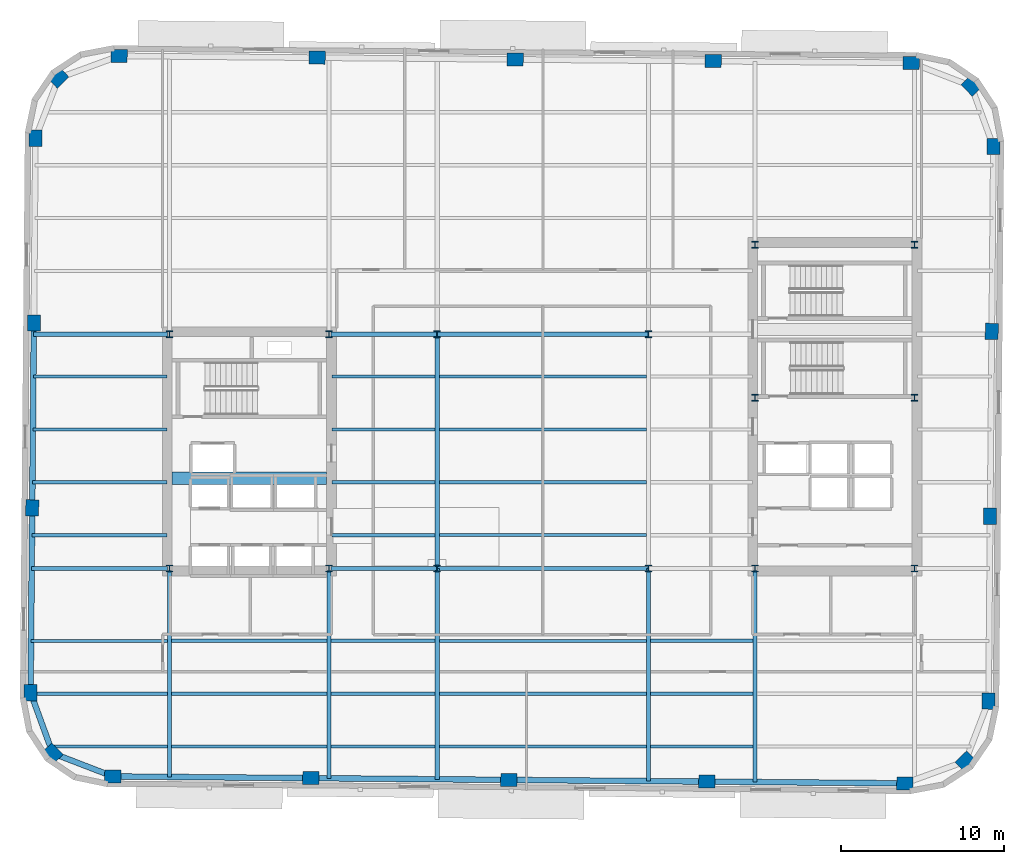
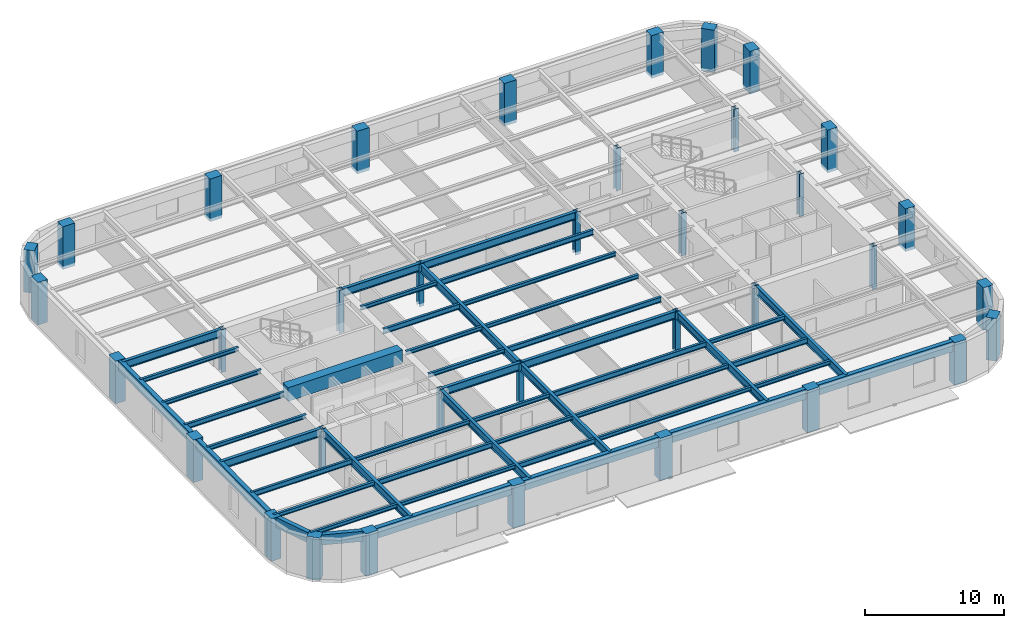
# One storey, part 1 of 10: 48 beams, 36 columns.
"""IFC4 building model written with IfcOpenShell, lengths in metres."""

from ifc_helpers import new_model, si_unit, direction, frame, origin, origin_2d, place, context, subcontext, project, spatial, rectangle, hollow_rectangle, i_section, extrude, material, material_profile, profile_set, type_object, element, save


model = new_model("IFC4")

# Units and contexts
model_context = context("Model", 3, precision=1e-05, world=origin(), true_north=direction((0.0, 1.0)))
body_context = subcontext(model_context, "Body", "Model", "MODEL_VIEW")
ifc_project = project(units=[si_unit("LENGTHUNIT", "METRE"), si_unit("AREAUNIT", "SQUARE_METRE"), si_unit("VOLUMEUNIT", "CUBIC_METRE"), si_unit("PLANEANGLEUNIT", "RADIAN"), si_unit("MASSUNIT", "GRAM", prefix="KILO")], contexts=[model_context])

# Site, building, storey
site_placement = place(None, origin())
site = spatial("IfcSite", under=ifc_project, at=site_placement, CompositionType="ELEMENT")
building_placement = place(site_placement, origin())
building = spatial("IfcBuilding", under=site, at=building_placement, Name="Kolvaren Arena Tower", CompositionType="ELEMENT")
storey_placement = place(building_placement, frame((0.0, 0.0, 192.199951171875)))
storey = spatial("IfcBuildingStorey", under=building, at=storey_placement, Name="L46", CompositionType="ELEMENT", Elevation=192.199951171875)

# Columns
ifc_material_1 = material(Name="Precast concrete C60/75", Category="concrete")
ifc_material_profile_1 = material_profile(ifc_material_1, rectangle(XDim=1.0, YDim=0.800048828125, at=origin_2d()), Name="RC-1000x800")
ifc_profile_set_1 = profile_set([ifc_material_profile_1], Name="Precast concrete C60/75")
column_type_1 = type_object("IfcColumnType", Name="EXCOL-Z3", PredefinedType="COLUMN", material=ifc_profile_set_1)
for number, where, z_axis, x_axis, name in (
    (1, (11.0576171875, 6.663330078125, -0.27001953125), (0.0, 0.0, 1.0), (0.999961923064, -0.008726535498, 0.0), "Exoskeleton Perimeter Column 01 (L46)"),
    (2, (23.232177734375, 6.55712890625, -0.27001953125), (0.0, 0.0, 1.0), (0.999961923064, -0.008726535498, 0.0), "Exoskeleton Perimeter Column 02 (L46)"),
    (3, (35.40673828125, 6.45068359375, -0.27001953125), (0.0, 0.0, 1.0), (0.999961923064, -0.008726535498, 0.0), "Exoskeleton Perimeter Column 03 (L46)"),
    (4, (47.581298828125, 6.344482421875, -0.27001953125), (0.0, 0.0, 1.0), (0.999961923064, -0.008726535498, 0.0), "Exoskeleton Perimeter Column 04 (L46)"),
    (5, (59.755859375, 6.23828125, -0.27001953125), (0.0, 0.0, 1.0), (0.999961923064, -0.008726535498, 0.0), "Exoskeleton Perimeter Column 05 (L46)"),
    (6, (63.4765625, 7.59716796875, -0.27001953125), (0.0, 0.0, 1.0), (0.713250449154, 0.7009092643, 0.0), "Exoskeleton Perimeter Column 06 (L46)"),
    (7, (64.900146484375, 11.293701171875, -0.27001953125), (0.0, 0.0, 1.0), (0.008726535498, 0.999961923064, 0.0), "Exoskeleton Perimeter Column 07 (L46)"),
    (8, (64.999267578125, 22.659912109375, -0.27001953125), (0.0, 0.0, 1.0), (0.008726535498, 0.999961923064, 0.0), "Exoskeleton Perimeter Column 08 (L46)"),
    (9, (65.098388671875, 34.026123046875, -0.27001953125), (0.0, 0.0, 1.0), (0.008726535498, 0.999961923064, 0.0), "Exoskeleton Perimeter Column 09 (L46)"),
    (10, (65.19775390625, 45.392333984375, -0.27001953125), (0.0, 0.0, 1.0), (0.008726535498, 0.999961923064, 0.0), "Exoskeleton Perimeter Column 10 (L46)"),
    (11, (63.8388671875, 49.113037109375, -0.27001953125), (0.0, 0.0, 1.0), (-0.7009092643, 0.713250449154, 0.0), "Exoskeleton Perimeter Column 11 (L46)"),
    (12, (60.142333984375, 50.53662109375, -0.27001953125), (0.0, 0.0, 1.0), (0.999961923064, -0.008726535498, 0.0), "Exoskeleton Perimeter Column 12 (L46)"),
    (13, (47.9677734375, 50.642822265625, -0.27001953125), (0.0, 0.0, 1.0), (0.999961923064, -0.008726535498, 0.0), "Exoskeleton Perimeter Column 13 (L46)"),
    (14, (35.793212890625, 50.749267578125, -0.27001953125), (0.0, 0.0, 1.0), (0.999961923064, -0.008726535498, 0.0), "Exoskeleton Perimeter Column 14 (L46)"),
    (15, (23.618896484375, 50.85546875, -0.27001953125), (0.0, 0.0, 1.0), (0.999961923064, -0.008726535498, 0.0), "Exoskeleton Perimeter Column 15 (L46)"),
    (16, (11.444091796875, 50.961669921875, -0.27001953125), (0.0, 0.0, 1.0), (0.999961923064, -0.008726535498, 0.0), "Exoskeleton Perimeter Column 16 (L46)"),
    (17, (7.723388671875, 49.602783203125, -0.27001953125), (0.0, 0.0, 1.0), (0.713250449154, 0.7009092643, 0.0), "Exoskeleton Perimeter Column 17 (L46)"),
    (18, (6.2998046875, 45.90625, -0.27001953125), (0.0, 0.0, 1.0), (0.008726535498, 0.999961923064, 0.0), "Exoskeleton Perimeter Column 18 (L46)"),
    (19, (6.20068359375, 34.5400390625, -0.27001953125), (0.0, 0.0, 1.0), (0.008726535498, 0.999961923064, 0.0), "Exoskeleton Perimeter Column 19 (L46)"),
    (20, (6.1015625, 23.173828125, -0.27001953125), (0.0, 0.0, 1.0), (0.008726535498, 0.999961923064, 0.0), "Exoskeleton Perimeter Column 20 (L46)"),
    (21, (6.002197265625, 11.8076171875, -0.27001953125), (0.0, 0.0, 1.0), (0.008726535498, 0.999961923064, 0.0), "Exoskeleton Perimeter Column 21 (L46)"),
    (22, (7.361083984375, 8.0869140625, -0.27001953125), (0.0, 0.0, 1.0), (-0.7009092643, 0.713250449154, 0.0), "Exoskeleton Perimeter Column 22 (L46)"),
):
    element("IfcColumn", number, at=place(storey_placement, frame(where, z_axis=z_axis, x_axis=x_axis)), inside=storey, type_object=column_type_1, Name=name, PredefinedType="COLUMN", context=body_context, shape_type="SweptSolid", body=[
        extrude(rectangle(XDim=1.0, YDim=0.800048828125, at=origin_2d()), origin(), (0.0, 0.0, 1.0), 3.75),
    ])
ifc_material_2 = material(Name="Steel ASTM A913 Grade 65", Category="steel")
ifc_material_profile_2 = material_profile(ifc_material_2, i_section(OverallWidth=0.406005859375, OverallDepth=0.416015625, WebThickness=0.02978515625, FlangeThickness=0.048095703125, FilletRadius=0.02001953125, at=origin_2d()), Name="W360x382")
ifc_profile_set_2 = profile_set([ifc_material_profile_2], Name="Steel ASTM A913 Grade 65")
column_type_2 = type_object("IfcColumnType", Name="SCOL-Z3", PredefinedType="COLUMN", material=ifc_profile_set_2)
for number, where, z_axis, x_axis, name in (
    (23, (14.550048828125, 19.449951171875, -0.27001953125), (0.0, 0.0, 1.0), (1.0, 0.0, 0.0), "Core Boundary Column WC-SW (L46)"),
    (24, (24.35009765625, 19.449951171875, -0.27001953125), (0.0, 0.0, 1.0), (1.0, 0.0, 0.0), "Core Boundary Column WC-SE (L46)"),
    (25, (14.550048828125, 33.85009765625, -0.27001953125), (0.0, 0.0, 1.0), (1.0, 0.0, 0.0), "Core Boundary Column WC-NW (L46)"),
    (26, (24.35009765625, 33.85009765625, -0.27001953125), (0.0, 0.0, 1.0), (1.0, 0.0, 0.0), "Core Boundary Column WC-NE (L46)"),
    (27, (50.550048828125, 19.449951171875, -0.27001953125), (0.0, 0.0, 1.0), (1.0, 0.0, 0.0), "Core Boundary Column EC-SW (L46)"),
    (28, (60.35009765625, 19.449951171875, -0.27001953125), (0.0, 0.0, 1.0), (1.0, 0.0, 0.0), "Core Boundary Column EC-SE (L46)"),
    (29, (50.550048828125, 29.949951171875, -0.27001953125), (0.0, 0.0, 1.0), (1.0, 0.0, 0.0), "Core Boundary Column EC-MW (L46)"),
    (30, (60.35009765625, 29.949951171875, -0.27001953125), (0.0, 0.0, 1.0), (1.0, 0.0, 0.0), "Core Boundary Column EC-ME (L46)"),
    (31, (50.550048828125, 39.35009765625, -0.27001953125), (0.0, 0.0, 1.0), (1.0, 0.0, 0.0), "Core Boundary Column EC-NW (L46)"),
    (32, (60.35009765625, 39.35009765625, -0.27001953125), (0.0, 0.0, 1.0), (1.0, 0.0, 0.0), "Core Boundary Column EC-NE (L46)"),
    (33, (31.0, 19.449951171875, -0.27001953125), (0.0, 0.0, 1.0), (1.0, 0.0, 0.0), "Interior Gravity Column TC-SW (L46)"),
    (34, (44.0, 19.449951171875, -0.27001953125), (0.0, 0.0, 1.0), (1.0, 0.0, 0.0), "Interior Gravity Column TC-SE (L46)"),
    (35, (31.0, 33.85009765625, -0.27001953125), (0.0, 0.0, 1.0), (1.0, 0.0, 0.0), "Interior Gravity Column TC-NW (L46)"),
    (36, (44.0, 33.85009765625, -0.27001953125), (0.0, 0.0, 1.0), (1.0, 0.0, 0.0), "Interior Gravity Column TC-NE (L46)"),
):
    element("IfcColumn", number, at=place(storey_placement, frame(where, z_axis=z_axis, x_axis=x_axis)), inside=storey, type_object=column_type_2, Name=name, PredefinedType="COLUMN", context=body_context, shape_type="SweptSolid", body=[
        extrude(i_section(OverallWidth=0.406005859375, OverallDepth=0.416015625, WebThickness=0.02978515625, FlangeThickness=0.048095703125, FilletRadius=0.02001953125, at=origin_2d()), origin(), (0.0, 0.0, 1.0), 3.75),
    ])

# Beams
ifc_material_3 = material(Name="Steel CSA G40.21 350W", Category="steel")
ifc_material_profile_3 = material_profile(ifc_material_3, i_section(OverallWidth=0.193115234375, OverallDepth=0.462890625, WebThickness=0.0107421875, FlangeThickness=0.0205078125, FilletRadius=0.012939453125, at=origin_2d()), Name="W460x113")
ifc_profile_set_3 = profile_set([ifc_material_profile_3], Name="Steel CSA G40.21 350W")
beam_type_1 = type_object("IfcBeamType", Name="BEAM-F2", PredefinedType="BEAM", material=ifc_profile_set_3)
beam_1_placement = place(storey_placement, frame((24.4775390625, 8.5, 3.24853515625), z_axis=(1.0, 0.0, 0.0), x_axis=(0.0, 1.0, 0.0)))
element("IfcBeam", 37, at=beam_1_placement, inside=storey, type_object=beam_type_1, Name="Composite Floor Beam (L46)", PredefinedType="BEAM", context=body_context, shape_type="SweptSolid", body=[
    extrude(i_section(OverallWidth=0.193115234375, OverallDepth=0.462890625, WebThickness=0.0107421875, FlangeThickness=0.0205078125, FilletRadius=0.012939453125, at=origin_2d()), origin(), (0.0, 0.0, 1.0), 6.39501953125),
])
beam_2_placement = place(storey_placement, frame((14.677490234375, 11.75, 3.24853515625), z_axis=(1.0, 0.0, 0.0), x_axis=(0.0, 1.0, 0.0)))
element("IfcBeam", 38, at=beam_2_placement, inside=storey, type_object=beam_type_1, Name="Composite Floor Beam (L46)", PredefinedType="BEAM", context=body_context, shape_type="SweptSolid", body=[
    extrude(i_section(OverallWidth=0.193115234375, OverallDepth=0.462890625, WebThickness=0.0107421875, FlangeThickness=0.0205078125, FilletRadius=0.012939453125, at=origin_2d()), origin(), (0.0, 0.0, 1.0), 9.544921875),
])
beam_3_placement = place(storey_placement, frame((44.12744140625, 11.75, 3.24853515625), z_axis=(1.0, 0.0, 0.0), x_axis=(0.0, 1.0, 0.0)))
element("IfcBeam", 39, at=beam_3_placement, inside=storey, type_object=beam_type_1, Name="Composite Floor Beam (L46)", PredefinedType="BEAM", context=body_context, shape_type="SweptSolid", body=[
    extrude(i_section(OverallWidth=0.193115234375, OverallDepth=0.462890625, WebThickness=0.0107421875, FlangeThickness=0.0205078125, FilletRadius=0.012939453125, at=origin_2d()), origin(), (0.0, 0.0, 1.0), 6.295166015625),
])
beam_4_placement = place(storey_placement, frame((6.0302734375, 15.0, 3.24853515625), z_axis=(1.0, 0.0, 0.0), x_axis=(0.0, 1.0, 0.0)))
element("IfcBeam", 40, at=beam_4_placement, inside=storey, type_object=beam_type_1, Name="Composite Floor Beam (L46)", PredefinedType="BEAM", context=body_context, shape_type="SweptSolid", body=[
    extrude(i_section(OverallWidth=0.193115234375, OverallDepth=0.462890625, WebThickness=0.0107421875, FlangeThickness=0.0205078125, FilletRadius=0.012939453125, at=origin_2d()), origin(), (0.0, 0.0, 1.0), 8.392333984375),
])
for number, where, z_axis, x_axis, name in (
    (41, (31.12744140625, 15.0, 3.24853515625), (1.0, 0.0, 0.0), (0.0, 1.0, 0.0), "Composite Floor Beam (L46)"),
    (42, (31.12744140625, 21.5, 3.24853515625), (1.0, 0.0, 0.0), (0.0, 1.0, 0.0), "Composite Floor Beam (L46)"),
):
    element("IfcBeam", number, at=place(storey_placement, frame(where, z_axis=z_axis, x_axis=x_axis)), inside=storey, type_object=beam_type_1, Name=name, PredefinedType="BEAM", context=body_context, shape_type="SweptSolid", body=[
        extrude(i_section(OverallWidth=0.193115234375, OverallDepth=0.462890625, WebThickness=0.0107421875, FlangeThickness=0.0205078125, FilletRadius=0.012939453125, at=origin_2d()), origin(), (0.0, 0.0, 1.0), 12.7451171875),
    ])
beam_5_placement = place(storey_placement, frame((6.115234375, 24.75, 3.24853515625), z_axis=(1.0, 0.0, 0.0), x_axis=(0.0, 1.0, 0.0)))
element("IfcBeam", 43, at=beam_5_placement, inside=storey, type_object=beam_type_1, Name="Composite Floor Beam (L46)", PredefinedType="BEAM", context=body_context, shape_type="SweptSolid", body=[
    extrude(i_section(OverallWidth=0.193115234375, OverallDepth=0.462890625, WebThickness=0.0107421875, FlangeThickness=0.0205078125, FilletRadius=0.012939453125, at=origin_2d()), origin(), (0.0, 0.0, 1.0), 8.2646484375),
])
beam_6_placement = place(storey_placement, frame((24.52001953125, 28.0, 3.24853515625), z_axis=(1.0, 0.0, 0.0), x_axis=(0.0, 1.0, 0.0)))
element("IfcBeam", 44, at=beam_6_placement, inside=storey, type_object=beam_type_1, Name="Composite Floor Beam (L46)", PredefinedType="BEAM", context=body_context, shape_type="SweptSolid", body=[
    extrude(i_section(OverallWidth=0.193115234375, OverallDepth=0.462890625, WebThickness=0.0107421875, FlangeThickness=0.0205078125, FilletRadius=0.012939453125, at=origin_2d()), origin(), (0.0, 0.0, 1.0), 6.3525390625),
])
beam_7_placement = place(storey_placement, frame((31.12744140625, 31.25, 3.24853515625), z_axis=(1.0, 0.0, 0.0), x_axis=(0.0, 1.0, 0.0)))
element("IfcBeam", 45, at=beam_7_placement, inside=storey, type_object=beam_type_1, Name="Composite Floor Beam (L46)", PredefinedType="BEAM", context=body_context, shape_type="SweptSolid", body=[
    extrude(i_section(OverallWidth=0.193115234375, OverallDepth=0.462890625, WebThickness=0.0107421875, FlangeThickness=0.0205078125, FilletRadius=0.012939453125, at=origin_2d()), origin(), (0.0, 0.0, 1.0), 12.7451171875),
])
ifc_material_4 = material(Name="Concrete 60 MPa", Category="concrete")
ifc_material_profile_4 = material_profile(ifc_material_4, rectangle(XDim=0.75, YDim=1.199951171875, at=origin_2d()), Name="RC-750x1200")
ifc_profile_set_4 = profile_set([ifc_material_profile_4], Name="Concrete 60 MPa")
beam_type_2 = type_object("IfcBeamType", Name="CB-CORE-2", PredefinedType="BEAM", material=ifc_profile_set_4)
beam_8_placement = place(storey_placement, frame((14.699951171875, 25.0, 3.150146484375), z_axis=(1.0, 0.0, 0.0), x_axis=(0.0, 1.0, 0.0)))
element("IfcBeam", 46, at=beam_8_placement, inside=storey, type_object=beam_type_2, Name="West Core Coupling Beam (L46)", PredefinedType="BEAM", context=body_context, shape_type="SweptSolid", body=[
    extrude(rectangle(XDim=0.75, YDim=1.199951171875, at=origin_2d()), origin(), (0.0, 0.0, 1.0), 9.5),
])
ifc_material_profile_5 = material_profile(ifc_material_3, i_section(OverallWidth=0.2548828125, OverallDepth=0.695068359375, WebThickness=0.01708984375, FlangeThickness=0.02978515625, FilletRadius=0.01611328125, at=origin_2d()), Name="W690x217")
ifc_profile_set_5 = profile_set([ifc_material_profile_5], Name="Steel CSA G40.21 350W")
beam_type_3 = type_object("IfcBeamType", Name="GIRD-T2", PredefinedType="BEAM", material=ifc_profile_set_5)
beam_9_placement = place(storey_placement, frame((6.069091796875, 19.449951171875, 3.132568359375), z_axis=(1.0, 0.0, 0.0), x_axis=(0.0, 1.0, 0.0)))
element("IfcBeam", 47, at=beam_9_placement, inside=storey, type_object=beam_type_3, Name="Primary Floor Girder (L46)", PredefinedType="BEAM", context=body_context, shape_type="SweptSolid", body=[
    extrude(i_section(OverallWidth=0.2548828125, OverallDepth=0.695068359375, WebThickness=0.01708984375, FlangeThickness=0.02978515625, FilletRadius=0.01611328125, at=origin_2d()), origin(), (0.0, 0.0, 1.0), 8.350830078125),
])
beam_10_placement = place(storey_placement, frame((24.47998046875, 19.449951171875, 3.132568359375), z_axis=(1.0, 0.0, 0.0), x_axis=(0.0, 1.0, 0.0)))
element("IfcBeam", 48, at=beam_10_placement, inside=storey, type_object=beam_type_3, Name="Primary Floor Girder (L46)", PredefinedType="BEAM", context=body_context, shape_type="SweptSolid", body=[
    extrude(i_section(OverallWidth=0.2548828125, OverallDepth=0.695068359375, WebThickness=0.01708984375, FlangeThickness=0.02978515625, FilletRadius=0.01611328125, at=origin_2d()), origin(), (0.0, 0.0, 1.0), 6.52001953125),
])
beam_11_placement = place(storey_placement, frame((31.0, 19.449951171875, 3.132568359375), z_axis=(1.0, 0.0, 0.0), x_axis=(0.0, 1.0, 0.0)))
element("IfcBeam", 49, at=beam_11_placement, inside=storey, type_object=beam_type_3, Name="Primary Floor Girder (L46)", PredefinedType="BEAM", context=body_context, shape_type="SweptSolid", body=[
    extrude(i_section(OverallWidth=0.2548828125, OverallDepth=0.695068359375, WebThickness=0.01708984375, FlangeThickness=0.02978515625, FilletRadius=0.01611328125, at=origin_2d()), origin(), (0.0, 0.0, 1.0), 13.0),
])
beam_12_placement = place(storey_placement, frame((6.194580078125, 33.85009765625, 3.132568359375), z_axis=(1.0, 0.0, 0.0), x_axis=(0.0, 1.0, 0.0)))
element("IfcBeam", 50, at=beam_12_placement, inside=storey, type_object=beam_type_3, Name="Primary Floor Girder (L46)", PredefinedType="BEAM", context=body_context, shape_type="SweptSolid", body=[
    extrude(i_section(OverallWidth=0.2548828125, OverallDepth=0.695068359375, WebThickness=0.01708984375, FlangeThickness=0.02978515625, FilletRadius=0.01611328125, at=origin_2d()), origin(), (0.0, 0.0, 1.0), 8.225341796875),
])
beam_13_placement = place(storey_placement, frame((24.47998046875, 33.85009765625, 3.132568359375), z_axis=(1.0, 0.0, 0.0), x_axis=(0.0, 1.0, 0.0)))
element("IfcBeam", 51, at=beam_13_placement, inside=storey, type_object=beam_type_3, Name="Primary Floor Girder (L46)", PredefinedType="BEAM", context=body_context, shape_type="SweptSolid", body=[
    extrude(i_section(OverallWidth=0.2548828125, OverallDepth=0.695068359375, WebThickness=0.01708984375, FlangeThickness=0.02978515625, FilletRadius=0.01611328125, at=origin_2d()), origin(), (0.0, 0.0, 1.0), 6.52001953125),
])
beam_14_placement = place(storey_placement, frame((31.0, 33.85009765625, 3.132568359375), z_axis=(1.0, 0.0, 0.0), x_axis=(0.0, 1.0, 0.0)))
element("IfcBeam", 52, at=beam_14_placement, inside=storey, type_object=beam_type_3, Name="Primary Floor Girder (L46)", PredefinedType="BEAM", context=body_context, shape_type="SweptSolid", body=[
    extrude(i_section(OverallWidth=0.2548828125, OverallDepth=0.695068359375, WebThickness=0.01708984375, FlangeThickness=0.02978515625, FilletRadius=0.01611328125, at=origin_2d()), origin(), (0.0, 0.0, 1.0), 13.0),
])
beam_15_placement = place(storey_placement, frame((14.550048828125, 6.6328125, 3.132568359375), z_axis=(0.0, 1.0, 0.0), x_axis=(-1.0, 0.0, 0.0)))
element("IfcBeam", 53, at=beam_15_placement, inside=storey, type_object=beam_type_3, Name="Primary Floor Girder (L46)", PredefinedType="BEAM", context=body_context, shape_type="SweptSolid", body=[
    extrude(i_section(OverallWidth=0.2548828125, OverallDepth=0.695068359375, WebThickness=0.01708984375, FlangeThickness=0.02978515625, FilletRadius=0.01611328125, at=origin_2d()), origin(), (0.0, 0.0, 1.0), 12.687255859375),
])
beam_16_placement = place(storey_placement, frame((24.35009765625, 6.54736328125, 3.132568359375), z_axis=(0.0, 1.0, 0.0), x_axis=(-1.0, 0.0, 0.0)))
element("IfcBeam", 54, at=beam_16_placement, inside=storey, type_object=beam_type_3, Name="Primary Floor Girder (L46)", PredefinedType="BEAM", context=body_context, shape_type="SweptSolid", body=[
    extrude(i_section(OverallWidth=0.2548828125, OverallDepth=0.695068359375, WebThickness=0.01708984375, FlangeThickness=0.02978515625, FilletRadius=0.01611328125, at=origin_2d()), origin(), (0.0, 0.0, 1.0), 12.772705078125),
])
beam_17_placement = place(storey_placement, frame((31.0, 6.4892578125, 3.132568359375), z_axis=(0.0, 1.0, 0.0), x_axis=(-1.0, 0.0, 0.0)))
element("IfcBeam", 55, at=beam_17_placement, inside=storey, type_object=beam_type_3, Name="Primary Floor Girder (L46)", PredefinedType="BEAM", context=body_context, shape_type="SweptSolid", body=[
    extrude(i_section(OverallWidth=0.2548828125, OverallDepth=0.695068359375, WebThickness=0.01708984375, FlangeThickness=0.02978515625, FilletRadius=0.01611328125, at=origin_2d()), origin(), (0.0, 0.0, 1.0), 12.960693359375),
])
beam_18_placement = place(storey_placement, frame((31.0, 19.449951171875, 3.132568359375), z_axis=(0.0, 1.0, 0.0), x_axis=(-1.0, 0.0, 0.0)))
element("IfcBeam", 56, at=beam_18_placement, inside=storey, type_object=beam_type_3, Name="Primary Floor Girder (L46)", PredefinedType="BEAM", context=body_context, shape_type="SweptSolid", body=[
    extrude(i_section(OverallWidth=0.2548828125, OverallDepth=0.695068359375, WebThickness=0.01708984375, FlangeThickness=0.02978515625, FilletRadius=0.01611328125, at=origin_2d()), origin(), (0.0, 0.0, 1.0), 14.400146484375),
])
beam_19_placement = place(storey_placement, frame((44.0, 6.375732421875, 3.132568359375), z_axis=(0.0, 1.0, 0.0), x_axis=(-1.0, 0.0, 0.0)))
element("IfcBeam", 57, at=beam_19_placement, inside=storey, type_object=beam_type_3, Name="Primary Floor Girder (L46)", PredefinedType="BEAM", context=body_context, shape_type="SweptSolid", body=[
    extrude(i_section(OverallWidth=0.2548828125, OverallDepth=0.695068359375, WebThickness=0.01708984375, FlangeThickness=0.02978515625, FilletRadius=0.01611328125, at=origin_2d()), origin(), (0.0, 0.0, 1.0), 13.07421875),
])
beam_20_placement = place(storey_placement, frame((50.550048828125, 6.318603515625, 3.132568359375), z_axis=(0.0, 1.0, 0.0), x_axis=(-1.0, 0.0, 0.0)))
element("IfcBeam", 58, at=beam_20_placement, inside=storey, type_object=beam_type_3, Name="Primary Floor Girder (L46)", PredefinedType="BEAM", context=body_context, shape_type="SweptSolid", body=[
    extrude(i_section(OverallWidth=0.2548828125, OverallDepth=0.695068359375, WebThickness=0.01708984375, FlangeThickness=0.02978515625, FilletRadius=0.01611328125, at=origin_2d()), origin(), (0.0, 0.0, 1.0), 13.00146484375),
])
ifc_material_profile_6 = material_profile(ifc_material_3, i_section(OverallWidth=0.202880859375, OverallDepth=0.346923828125, WebThickness=0.0078125, FlangeThickness=0.013427734375, FilletRadius=0.010986328125, at=origin_2d()), Name="W360x64")
ifc_profile_set_6 = profile_set([ifc_material_profile_6], Name="Steel CSA G40.21 350W")
beam_type_4 = type_object("IfcBeamType", Name="JOIST-01", PredefinedType="JOIST", material=ifc_profile_set_6)
beam_21_placement = place(storey_placement, frame((7.210205078125, 8.5, 3.306640625), z_axis=(1.0, 0.0, 0.0), x_axis=(0.0, 1.0, 0.0)))
element("IfcBeam", 59, at=beam_21_placement, inside=storey, type_object=beam_type_4, Name="Composite Floor Joist (L46)", PredefinedType="JOIST", context=body_context, shape_type="SweptSolid", body=[
    extrude(i_section(OverallWidth=0.202880859375, OverallDepth=0.346923828125, WebThickness=0.0078125, FlangeThickness=0.013427734375, FilletRadius=0.010986328125, at=origin_2d()), origin(), (0.0, 0.0, 1.0), 7.21240234375),
])
beam_22_placement = place(storey_placement, frame((14.677490234375, 8.5, 3.306640625), z_axis=(1.0, 0.0, 0.0), x_axis=(0.0, 1.0, 0.0)))
element("IfcBeam", 60, at=beam_22_placement, inside=storey, type_object=beam_type_4, Name="Composite Floor Joist (L46)", PredefinedType="JOIST", context=body_context, shape_type="SweptSolid", body=[
    extrude(i_section(OverallWidth=0.202880859375, OverallDepth=0.346923828125, WebThickness=0.0078125, FlangeThickness=0.013427734375, FilletRadius=0.010986328125, at=origin_2d()), origin(), (0.0, 0.0, 1.0), 9.544921875),
])
beam_23_placement = place(storey_placement, frame((31.12744140625, 8.5, 3.306640625), z_axis=(1.0, 0.0, 0.0), x_axis=(0.0, 1.0, 0.0)))
element("IfcBeam", 61, at=beam_23_placement, inside=storey, type_object=beam_type_4, Name="Composite Floor Joist (L46)", PredefinedType="JOIST", context=body_context, shape_type="SweptSolid", body=[
    extrude(i_section(OverallWidth=0.202880859375, OverallDepth=0.346923828125, WebThickness=0.0078125, FlangeThickness=0.013427734375, FilletRadius=0.010986328125, at=origin_2d()), origin(), (0.0, 0.0, 1.0), 12.7451171875),
])
beam_24_placement = place(storey_placement, frame((44.12744140625, 8.5, 3.306640625), z_axis=(1.0, 0.0, 0.0), x_axis=(0.0, 1.0, 0.0)))
element("IfcBeam", 62, at=beam_24_placement, inside=storey, type_object=beam_type_4, Name="Composite Floor Joist (L46)", PredefinedType="JOIST", context=body_context, shape_type="SweptSolid", body=[
    extrude(i_section(OverallWidth=0.202880859375, OverallDepth=0.346923828125, WebThickness=0.0078125, FlangeThickness=0.013427734375, FilletRadius=0.010986328125, at=origin_2d()), origin(), (0.0, 0.0, 1.0), 6.295166015625),
])
beam_25_placement = place(storey_placement, frame((6.023193359375, 11.75, 3.306640625), z_axis=(1.0, 0.0, 0.0), x_axis=(0.0, 1.0, 0.0)))
element("IfcBeam", 63, at=beam_25_placement, inside=storey, type_object=beam_type_4, Name="Composite Floor Joist (L46)", PredefinedType="JOIST", context=body_context, shape_type="SweptSolid", body=[
    extrude(i_section(OverallWidth=0.202880859375, OverallDepth=0.346923828125, WebThickness=0.0078125, FlangeThickness=0.013427734375, FilletRadius=0.010986328125, at=origin_2d()), origin(), (0.0, 0.0, 1.0), 8.3994140625),
])
beam_26_placement = place(storey_placement, frame((24.4775390625, 11.75, 3.306640625), z_axis=(1.0, 0.0, 0.0), x_axis=(0.0, 1.0, 0.0)))
element("IfcBeam", 64, at=beam_26_placement, inside=storey, type_object=beam_type_4, Name="Composite Floor Joist (L46)", PredefinedType="JOIST", context=body_context, shape_type="SweptSolid", body=[
    extrude(i_section(OverallWidth=0.202880859375, OverallDepth=0.346923828125, WebThickness=0.0078125, FlangeThickness=0.013427734375, FilletRadius=0.010986328125, at=origin_2d()), origin(), (0.0, 0.0, 1.0), 6.39501953125),
])
beam_27_placement = place(storey_placement, frame((31.12744140625, 11.75, 3.306640625), z_axis=(1.0, 0.0, 0.0), x_axis=(0.0, 1.0, 0.0)))
element("IfcBeam", 65, at=beam_27_placement, inside=storey, type_object=beam_type_4, Name="Composite Floor Joist (L46)", PredefinedType="JOIST", context=body_context, shape_type="SweptSolid", body=[
    extrude(i_section(OverallWidth=0.202880859375, OverallDepth=0.346923828125, WebThickness=0.0078125, FlangeThickness=0.013427734375, FilletRadius=0.010986328125, at=origin_2d()), origin(), (0.0, 0.0, 1.0), 12.7451171875),
])
beam_28_placement = place(storey_placement, frame((14.677490234375, 15.0, 3.306640625), z_axis=(1.0, 0.0, 0.0), x_axis=(0.0, 1.0, 0.0)))
element("IfcBeam", 66, at=beam_28_placement, inside=storey, type_object=beam_type_4, Name="Composite Floor Joist (L46)", PredefinedType="JOIST", context=body_context, shape_type="SweptSolid", body=[
    extrude(i_section(OverallWidth=0.202880859375, OverallDepth=0.346923828125, WebThickness=0.0078125, FlangeThickness=0.013427734375, FilletRadius=0.010986328125, at=origin_2d()), origin(), (0.0, 0.0, 1.0), 9.544921875),
])
beam_29_placement = place(storey_placement, frame((24.4775390625, 15.0, 3.306640625), z_axis=(1.0, 0.0, 0.0), x_axis=(0.0, 1.0, 0.0)))
element("IfcBeam", 67, at=beam_29_placement, inside=storey, type_object=beam_type_4, Name="Composite Floor Joist (L46)", PredefinedType="JOIST", context=body_context, shape_type="SweptSolid", body=[
    extrude(i_section(OverallWidth=0.202880859375, OverallDepth=0.346923828125, WebThickness=0.0078125, FlangeThickness=0.013427734375, FilletRadius=0.010986328125, at=origin_2d()), origin(), (0.0, 0.0, 1.0), 6.39501953125),
])
beam_30_placement = place(storey_placement, frame((44.12744140625, 15.0, 3.306640625), z_axis=(1.0, 0.0, 0.0), x_axis=(0.0, 1.0, 0.0)))
element("IfcBeam", 68, at=beam_30_placement, inside=storey, type_object=beam_type_4, Name="Composite Floor Joist (L46)", PredefinedType="JOIST", context=body_context, shape_type="SweptSolid", body=[
    extrude(i_section(OverallWidth=0.202880859375, OverallDepth=0.346923828125, WebThickness=0.0078125, FlangeThickness=0.013427734375, FilletRadius=0.010986328125, at=origin_2d()), origin(), (0.0, 0.0, 1.0), 6.295166015625),
])
beam_31_placement = place(storey_placement, frame((6.0869140625, 21.5, 3.306640625), z_axis=(1.0, 0.0, 0.0), x_axis=(0.0, 1.0, 0.0)))
element("IfcBeam", 69, at=beam_31_placement, inside=storey, type_object=beam_type_4, Name="Composite Floor Joist (L46)", PredefinedType="JOIST", context=body_context, shape_type="SweptSolid", body=[
    extrude(i_section(OverallWidth=0.202880859375, OverallDepth=0.346923828125, WebThickness=0.0078125, FlangeThickness=0.013427734375, FilletRadius=0.010986328125, at=origin_2d()), origin(), (0.0, 0.0, 1.0), 8.29296875),
])
for number, where, z_axis, x_axis, name in (
    (70, (24.52001953125, 21.5, 3.306640625), (1.0, 0.0, 0.0), (0.0, 1.0, 0.0), "Composite Floor Joist (L46)"),
    (71, (24.52001953125, 24.75, 3.306640625), (1.0, 0.0, 0.0), (0.0, 1.0, 0.0), "Composite Floor Joist (L46)"),
):
    element("IfcBeam", number, at=place(storey_placement, frame(where, z_axis=z_axis, x_axis=x_axis)), inside=storey, type_object=beam_type_4, Name=name, PredefinedType="JOIST", context=body_context, shape_type="SweptSolid", body=[
        extrude(i_section(OverallWidth=0.202880859375, OverallDepth=0.346923828125, WebThickness=0.0078125, FlangeThickness=0.013427734375, FilletRadius=0.010986328125, at=origin_2d()), origin(), (0.0, 0.0, 1.0), 6.3525390625),
    ])
beam_32_placement = place(storey_placement, frame((31.12744140625, 24.75, 3.306640625), z_axis=(1.0, 0.0, 0.0), x_axis=(0.0, 1.0, 0.0)))
element("IfcBeam", 72, at=beam_32_placement, inside=storey, type_object=beam_type_4, Name="Composite Floor Joist (L46)", PredefinedType="JOIST", context=body_context, shape_type="SweptSolid", body=[
    extrude(i_section(OverallWidth=0.202880859375, OverallDepth=0.346923828125, WebThickness=0.0078125, FlangeThickness=0.013427734375, FilletRadius=0.010986328125, at=origin_2d()), origin(), (0.0, 0.0, 1.0), 12.7451171875),
])
beam_33_placement = place(storey_placement, frame((6.1435546875, 28.0, 3.306640625), z_axis=(1.0, 0.0, 0.0), x_axis=(0.0, 1.0, 0.0)))
element("IfcBeam", 73, at=beam_33_placement, inside=storey, type_object=beam_type_4, Name="Composite Floor Joist (L46)", PredefinedType="JOIST", context=body_context, shape_type="SweptSolid", body=[
    extrude(i_section(OverallWidth=0.202880859375, OverallDepth=0.346923828125, WebThickness=0.0078125, FlangeThickness=0.013427734375, FilletRadius=0.010986328125, at=origin_2d()), origin(), (0.0, 0.0, 1.0), 8.236328125),
])
beam_34_placement = place(storey_placement, frame((31.12744140625, 28.0, 3.306640625), z_axis=(1.0, 0.0, 0.0), x_axis=(0.0, 1.0, 0.0)))
element("IfcBeam", 74, at=beam_34_placement, inside=storey, type_object=beam_type_4, Name="Composite Floor Joist (L46)", PredefinedType="JOIST", context=body_context, shape_type="SweptSolid", body=[
    extrude(i_section(OverallWidth=0.202880859375, OverallDepth=0.346923828125, WebThickness=0.0078125, FlangeThickness=0.013427734375, FilletRadius=0.010986328125, at=origin_2d()), origin(), (0.0, 0.0, 1.0), 12.7451171875),
])
beam_35_placement = place(storey_placement, frame((6.172119140625, 31.25, 3.306640625), z_axis=(1.0, 0.0, 0.0), x_axis=(0.0, 1.0, 0.0)))
element("IfcBeam", 75, at=beam_35_placement, inside=storey, type_object=beam_type_4, Name="Composite Floor Joist (L46)", PredefinedType="JOIST", context=body_context, shape_type="SweptSolid", body=[
    extrude(i_section(OverallWidth=0.202880859375, OverallDepth=0.346923828125, WebThickness=0.0078125, FlangeThickness=0.013427734375, FilletRadius=0.010986328125, at=origin_2d()), origin(), (0.0, 0.0, 1.0), 8.207763671875),
])
beam_36_placement = place(storey_placement, frame((24.52001953125, 31.25, 3.306640625), z_axis=(1.0, 0.0, 0.0), x_axis=(0.0, 1.0, 0.0)))
element("IfcBeam", 76, at=beam_36_placement, inside=storey, type_object=beam_type_4, Name="Composite Floor Joist (L46)", PredefinedType="JOIST", context=body_context, shape_type="SweptSolid", body=[
    extrude(i_section(OverallWidth=0.202880859375, OverallDepth=0.346923828125, WebThickness=0.0078125, FlangeThickness=0.013427734375, FilletRadius=0.010986328125, at=origin_2d()), origin(), (0.0, 0.0, 1.0), 6.3525390625),
])
ifc_material_5 = material(Name="Steel CSA G40.21 350WT", Category="steel")
ifc_material_profile_7 = material_profile(ifc_material_5, hollow_rectangle(XDim=0.35009765625, YDim=0.89990234375, WallThickness=0.02001953125, at=origin_2d()), Name="HSS 900x350x20")
ifc_profile_set_7 = profile_set([ifc_material_profile_7], Name="Steel CSA G40.21 350WT")
beam_type_5 = type_object("IfcBeamType", Name="SPAND-01", PredefinedType="SPANDREL", material=ifc_profile_set_7)
for number, where, z_axis, x_axis, name in (
    (77, (11.0576171875, 6.663330078125, 3.030029296875), (0.99996195503, -0.008722871848, 0.0), (0.008722871848, 0.99996195503, 0.0), "Perimeter Spandrel Beam (L46)"),
    (78, (23.232177734375, 6.55712890625, 3.030029296875), (0.999961779919, -0.008742922896, 0.0), (0.008742922896, 0.999961779919, 0.0), "Perimeter Spandrel Beam (L46)"),
    (79, (35.40673828125, 6.45068359375, 3.030029296875), (0.99996195503, -0.008722871848, 0.0), (0.008722871848, 0.99996195503, 0.0), "Perimeter Spandrel Beam (L46)"),
    (80, (47.581298828125, 6.344482421875, 3.030029296875), (0.99996195503, -0.008722871848, 0.0), (0.008722871848, 0.99996195503, 0.0), "Perimeter Spandrel Beam (L46)"),
):
    element("IfcBeam", number, at=place(storey_placement, frame(where, z_axis=z_axis, x_axis=x_axis)), inside=storey, type_object=beam_type_5, Name=name, PredefinedType="SPANDREL", context=body_context, shape_type="SweptSolid", body=[
        extrude(hollow_rectangle(XDim=0.35009765625, YDim=0.89990234375, WallThickness=0.02001953125, at=origin_2d()), origin(), (0.0, 0.0, 1.0), 12.175048828125),
    ])
for number, where, z_axis, x_axis, name in (
    (81, (6.20068359375, 34.5400390625, 3.030029296875), (-0.008720348885, -0.999961977035, 0.0), (0.999961977035, -0.008720348885, 0.0), "Perimeter Spandrel Beam (L46)"),
    (82, (6.1015625, 23.173828125, 3.030029296875), (-0.008741825937, -0.99996178951, 0.0), (0.99996178951, -0.008741825937, 0.0), "Perimeter Spandrel Beam (L46)"),
):
    element("IfcBeam", number, at=place(storey_placement, frame(where, z_axis=z_axis, x_axis=x_axis)), inside=storey, type_object=beam_type_5, Name=name, PredefinedType="SPANDREL", context=body_context, shape_type="SweptSolid", body=[
        extrude(hollow_rectangle(XDim=0.35009765625, YDim=0.89990234375, WallThickness=0.02001953125, at=origin_2d()), origin(), (0.0, 0.0, 1.0), 11.36669921875),
    ])
for number, where, z_axis, x_axis, name in (
    (83, (6.002197265625, 11.8076171875, 3.030029296875), (0.343059102458, -0.939313819882, 0.0), (0.939313819882, 0.343059102458, 0.0), "Perimeter Spandrel Beam (L46)"),
    (84, (7.361083984375, 8.0869140625, 3.030029296875), (0.933189846698, -0.359383792094, 0.0), (0.359383792094, 0.933189846698, 0.0), "Perimeter Spandrel Beam (L46)"),
):
    element("IfcBeam", number, at=place(storey_placement, frame(where, z_axis=z_axis, x_axis=x_axis)), inside=storey, type_object=beam_type_5, Name=name, PredefinedType="SPANDREL", context=body_context, shape_type="SweptSolid", body=[
        extrude(hollow_rectangle(XDim=0.35009765625, YDim=0.89990234375, WallThickness=0.02001953125, at=origin_2d()), origin(), (0.0, 0.0, 1.0), 3.961181640625),
    ])

save(model, "model.ifc")
